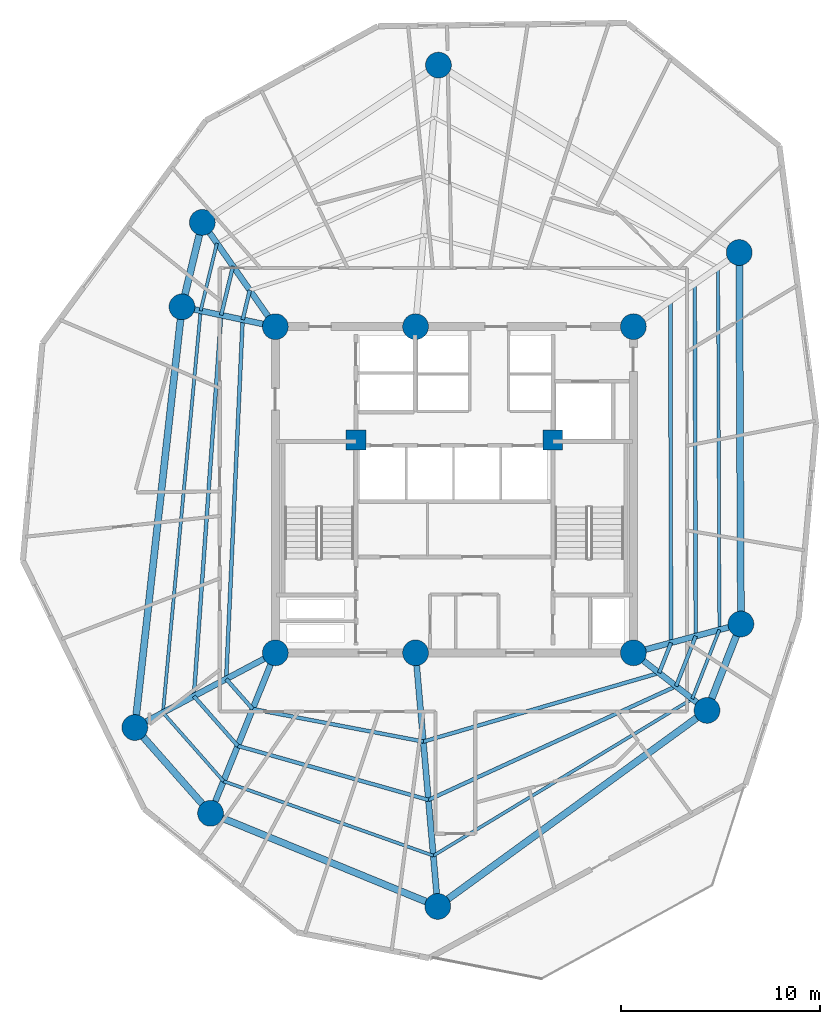
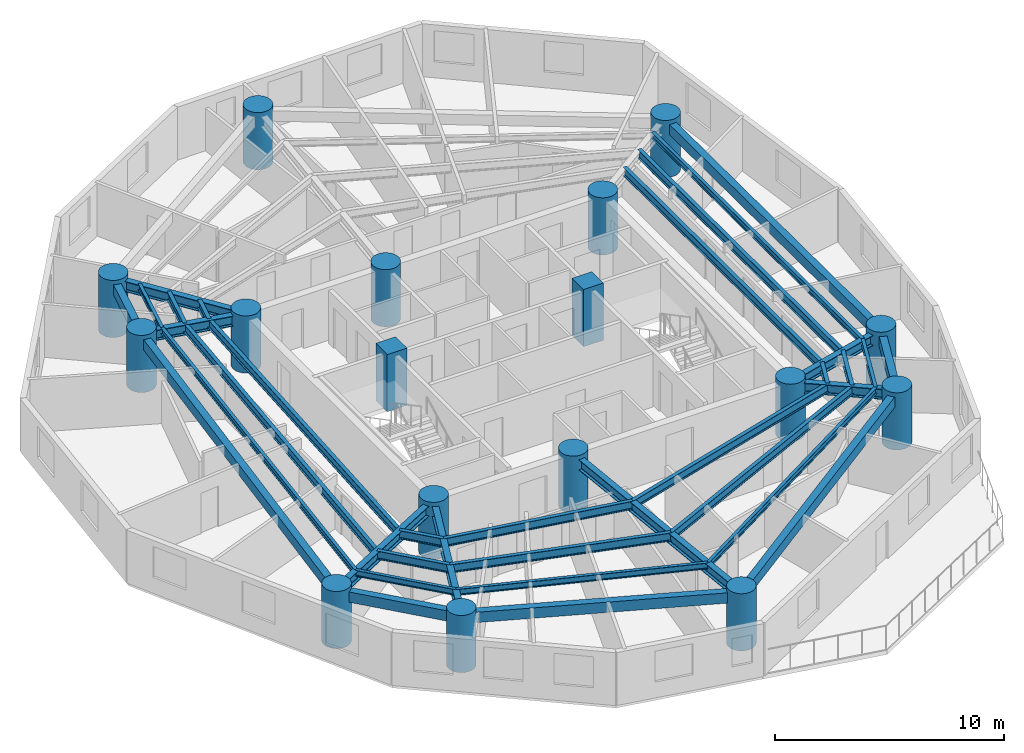
# One storey, part 1 of 8: 35 beams, 17 columns.
"""IFC4 building model written with IfcOpenShell, lengths in metres."""

from ifc_helpers import new_model, si_unit, direction, frame, origin, origin_with_axes, origin_2d, place, context, subcontext, project, spatial, rectangle, circle, i_section, extrude, source, transform, mapped, material, material_profile, profile_set, type_object, element, save


model = new_model("IFC4")

# Units and contexts
model_context = context("Model", 3, precision=1e-05, world=origin(), true_north=direction((0.0, 1.0)))
body_context = subcontext(model_context, "Body", "Model", "MODEL_VIEW")
ifc_project = project(units=[si_unit("LENGTHUNIT", "METRE"), si_unit("AREAUNIT", "SQUARE_METRE"), si_unit("VOLUMEUNIT", "CUBIC_METRE"), si_unit("PLANEANGLEUNIT", "RADIAN"), si_unit("MASSUNIT", "GRAM", prefix="KILO")], contexts=[model_context])

# Site, building, storey
site_placement = place(None, origin())
site = spatial("IfcSite", under=ifc_project, at=site_placement, CompositionType="ELEMENT")
building_placement = place(site_placement, origin())
building = spatial("IfcBuilding", under=site, at=building_placement, Name="Karkom Vertical University and Central Library", CompositionType="ELEMENT")
storey_placement = place(building_placement, frame((0.0, 0.0, 174.85009765625)))
storey = spatial("IfcBuildingStorey", under=building, at=storey_placement, Name="L50", CompositionType="ELEMENT", Elevation=174.85009765625)

# Columns
ifc_material_1 = material(Name="Concrete C50/60", Category="concrete")
ifc_material_profile_1 = material_profile(ifc_material_1, circle(Radius=0.64990234375, at=origin_2d()), Name="CFT-D1300")
ifc_profile_set_1 = profile_set([ifc_material_profile_1], Name="Concrete C50/60")
column_type_1 = type_object("IfcColumnType", Name="STR-COL-C-SC4", PredefinedType="COLUMN", material=ifc_profile_set_1)
shared_shape_1 = source(origin_with_axes(), body_context, "Body", "SweptSolid", [
    extrude(circle(Radius=0.64990234375, at=origin_2d()), origin(), (0.0, 0.0, 1.0), 3.0498046875),
])
for number, where, z_axis, x_axis, name in (
    (1, (19.5, 18.300048828125, 0.0), (0.0, 0.0, 1.0), (1.0, 0.0, 0.0), "Level 50 Spine Mega-Column SC-1"),
    (2, (26.550048828125, 18.300048828125, 0.0), (0.0, 0.0, 1.0), (1.0, 0.0, 0.0), "Level 50 Spine Mega-Column SC-2"),
    (3, (37.5, 18.300048828125, 0.0), (0.0, 0.0, 1.0), (1.0, 0.0, 0.0), "Level 50 Spine Mega-Column SC-3"),
    (4, (19.5, 34.699951171875, 0.0), (0.0, 0.0, 1.0), (1.0, 0.0, 0.0), "Level 50 Spine Mega-Column SC-4"),
    (5, (26.550048828125, 34.699951171875, 0.0), (0.0, 0.0, 1.0), (1.0, 0.0, 0.0), "Level 50 Spine Mega-Column SC-5"),
    (6, (37.5, 34.699951171875, 0.0), (0.0, 0.0, 1.0), (1.0, 0.0, 0.0), "Level 50 Spine Mega-Column SC-6"),
    (7, (42.908935546875, 19.7490234375, 0.0), (0.0, 0.0, 1.0), (1.0, 0.0, 0.0), "Level 50 Perimeter Mega-Column Z3-PC1"),
    (8, (42.823974609375, 38.427978515625, 0.0), (0.0, 0.0, 1.0), (1.0, 0.0, 0.0), "Level 50 Perimeter Mega-Column Z3-PC2"),
    (9, (27.699951171875, 47.85009765625, 0.0), (0.0, 0.0, 1.0), (1.0, 0.0, 0.0), "Level 50 Perimeter Mega-Column Z3-PC3"),
    (10, (15.8291015625, 39.943115234375, 0.0), (0.0, 0.0, 1.0), (1.0, 0.0, 0.0), "Level 50 Perimeter Mega-Column Z3-PC4"),
    (11, (14.804931640625, 35.697998046875, 0.0), (0.0, 0.0, 1.0), (1.0, 0.0, 0.0), "Level 50 Perimeter Mega-Column Z3-PC5"),
    (12, (12.43603515625, 14.5439453125, 0.0), (0.0, 0.0, 1.0), (1.0, 0.0, 0.0), "Level 50 Perimeter Mega-Column Z3-PC6"),
    (13, (16.240966796875, 10.23388671875, 0.0), (0.0, 0.0, 1.0), (1.0, 0.0, 0.0), "Level 50 Perimeter Mega-Column Z3-PC7"),
    (14, (27.666015625, 5.549072265625, 0.0), (0.0, 0.0, 1.0), (1.0, 0.0, 0.0), "Level 50 Perimeter Mega-Column Z3-PC8"),
    (15, (41.2041015625, 15.406005859375, 0.0), (0.0, 0.0, 1.0), (1.0, 0.0, 0.0), "Level 50 Perimeter Mega-Column Z3-PC9"),
):
    element("IfcColumn", number, at=place(storey_placement, frame(where, z_axis=z_axis, x_axis=x_axis)), inside=storey, type_object=column_type_1, Name=name, PredefinedType="COLUMN", context=body_context, shape_type="MappedRepresentation", body=[
        mapped(shared_shape_1, transform((0.0, 0.0, 0.0), scale=1.0)),
    ])
ifc_material_profile_2 = material_profile(ifc_material_1, rectangle(XDim=1.0, YDim=1.0, at=origin_2d()), Name="RC-1000x1000")
ifc_profile_set_2 = profile_set([ifc_material_profile_2], Name="Concrete C50/60")
column_type_2 = type_object("IfcColumnType", Name="STR-COL-C-CC2", PredefinedType="COLUMN", material=ifc_profile_set_2)
shared_shape_2 = source(origin_with_axes(), body_context, "Body", "SweptSolid", [
    extrude(rectangle(XDim=1.0, YDim=1.0, at=origin_2d()), origin(), (0.0, 0.0, 1.0), 3.0498046875),
])
for number, where, z_axis, x_axis, name in (
    (16, (23.550048828125, 29.0, 0.0), (0.0, 0.0, 1.0), (1.0, 0.0, 0.0), "Level 50 Core Node Column CC-1"),
    (17, (33.449951171875, 29.0, 0.0), (0.0, 0.0, 1.0), (1.0, 0.0, 0.0), "Level 50 Core Node Column CC-2"),
):
    element("IfcColumn", number, at=place(storey_placement, frame(where, z_axis=z_axis, x_axis=x_axis)), inside=storey, type_object=column_type_2, Name=name, PredefinedType="COLUMN", context=body_context, shape_type="MappedRepresentation", body=[
        mapped(shared_shape_2, transform((0.0, 0.0, 0.0), scale=1.0)),
    ])

# Beams
ifc_material_2 = material(Name="Precast concrete C45/55", Category="concrete")
ifc_material_profile_3 = material_profile(ifc_material_2, rectangle(XDim=0.35009765625, YDim=0.550048828125, at=origin_2d()), Name="SPB-350x550")
ifc_profile_set_3 = profile_set([ifc_material_profile_3], Name="Precast concrete C45/55")
beam_type_1 = type_object("IfcBeamType", Name="STR-BM-SP-2", PredefinedType="SPANDREL", material=ifc_profile_set_3)
shared_shape_3 = source(origin_with_axes(), body_context, "Body", "SweptSolid", [
    extrude(rectangle(XDim=0.35009765625, YDim=0.550048828125, at=origin_2d()), origin(), (0.0, 0.0, 1.0), 18.67919921875),
])
beam_1_placement = place(storey_placement, frame((42.908935546875, 19.7490234375, 2.5498046875), z_axis=(-0.004548437442, 0.999989655805, 0.0), x_axis=(-0.999989655805, -0.004548437442, 0.0)))
element("IfcBeam", 18, at=beam_1_placement, inside=storey, type_object=beam_type_1, Name="Level 50 Perimeter Spandrel Beam 01", PredefinedType="SPANDREL", context=body_context, shape_type="MappedRepresentation", body=[
    mapped(shared_shape_3, transform((0.0, 0.0, 0.0), scale=1.0)),
])
shared_shape_4 = source(origin_with_axes(), body_context, "Body", "SweptSolid", [
    extrude(rectangle(XDim=0.35009765625, YDim=0.550048828125, at=origin_2d()), origin(), (0.0, 0.0, 1.0), 4.366943359375),
])
beam_2_placement = place(storey_placement, frame((15.8291015625, 39.943115234375, 2.5498046875), z_axis=(-0.234529408772, -0.972109024966, 0.0), x_axis=(0.972109024966, -0.234529408772, 0.0)))
element("IfcBeam", 19, at=beam_2_placement, inside=storey, type_object=beam_type_1, Name="Level 50 Perimeter Spandrel Beam 04", PredefinedType="SPANDREL", context=body_context, shape_type="MappedRepresentation", body=[
    mapped(shared_shape_4, transform((0.0, 0.0, 0.0), scale=1.0)),
])
shared_shape_5 = source(origin_with_axes(), body_context, "Body", "SweptSolid", [
    extrude(rectangle(XDim=0.35009765625, YDim=0.550048828125, at=origin_2d()), origin(), (0.0, 0.0, 1.0), 21.286376953125),
])
beam_3_placement = place(storey_placement, frame((14.804931640625, 35.697998046875, 2.5498046875), z_axis=(-0.111287493264, -0.993788254028, 0.0), x_axis=(0.993788254028, -0.111287493264, 0.0)))
element("IfcBeam", 20, at=beam_3_placement, inside=storey, type_object=beam_type_1, Name="Level 50 Perimeter Spandrel Beam 05", PredefinedType="SPANDREL", context=body_context, shape_type="MappedRepresentation", body=[
    mapped(shared_shape_5, transform((0.0, 0.0, 0.0), scale=1.0)),
])
shared_shape_6 = source(origin_with_axes(), body_context, "Body", "SweptSolid", [
    extrude(rectangle(XDim=0.35009765625, YDim=0.550048828125, at=origin_2d()), origin(), (0.0, 0.0, 1.0), 5.749267578125),
])
beam_4_placement = place(storey_placement, frame((12.43603515625, 14.5439453125, 2.5498046875), z_axis=(0.661811219671, -0.74967053398, 0.0), x_axis=(0.74967053398, 0.661811219671, 0.0)))
element("IfcBeam", 21, at=beam_4_placement, inside=storey, type_object=beam_type_1, Name="Level 50 Perimeter Spandrel Beam 06", PredefinedType="SPANDREL", context=body_context, shape_type="MappedRepresentation", body=[
    mapped(shared_shape_6, transform((0.0, 0.0, 0.0), scale=1.0)),
])
shared_shape_7 = source(origin_with_axes(), body_context, "Body", "SweptSolid", [
    extrude(rectangle(XDim=0.35009765625, YDim=0.550048828125, at=origin_2d()), origin(), (0.0, 0.0, 1.0), 12.34814453125),
])
beam_5_placement = place(storey_placement, frame((16.240966796875, 10.23388671875, 2.5498046875), z_axis=(0.925236428984, -0.37939102583, 0.0), x_axis=(0.37939102583, 0.925236428984, 0.0)))
element("IfcBeam", 22, at=beam_5_placement, inside=storey, type_object=beam_type_1, Name="Level 50 Perimeter Spandrel Beam 07", PredefinedType="SPANDREL", context=body_context, shape_type="MappedRepresentation", body=[
    mapped(shared_shape_7, transform((0.0, 0.0, 0.0), scale=1.0)),
])
shared_shape_8 = source(origin_with_axes(), body_context, "Body", "SweptSolid", [
    extrude(rectangle(XDim=0.35009765625, YDim=0.550048828125, at=origin_2d()), origin(), (0.0, 0.0, 1.0), 16.746337890625),
])
beam_6_placement = place(storey_placement, frame((27.666015625, 5.549072265625, 2.5498046875), z_axis=(0.808422013284, 0.588603303115, 0.0), x_axis=(-0.588603303115, 0.808422013284, 0.0)))
element("IfcBeam", 23, at=beam_6_placement, inside=storey, type_object=beam_type_1, Name="Level 50 Perimeter Spandrel Beam 08", PredefinedType="SPANDREL", context=body_context, shape_type="MappedRepresentation", body=[
    mapped(shared_shape_8, transform((0.0, 0.0, 0.0), scale=1.0)),
])
shared_shape_9 = source(origin_with_axes(), body_context, "Body", "SweptSolid", [
    extrude(rectangle(XDim=0.35009765625, YDim=0.550048828125, at=origin_2d()), origin(), (0.0, 0.0, 1.0), 4.66552734375),
])
beam_7_placement = place(storey_placement, frame((41.2041015625, 15.406005859375, 2.5498046875), z_axis=(0.365401419454, 0.930850043058, 0.0), x_axis=(-0.930850043058, 0.365401419454, 0.0)))
element("IfcBeam", 24, at=beam_7_placement, inside=storey, type_object=beam_type_1, Name="Level 50 Perimeter Spandrel Beam 09", PredefinedType="SPANDREL", context=body_context, shape_type="MappedRepresentation", body=[
    mapped(shared_shape_9, transform((0.0, 0.0, 0.0), scale=1.0)),
])
ifc_material_3 = material(Name="Steel S355", Category="steel")
ifc_material_profile_4 = material_profile(ifc_material_3, i_section(OverallWidth=0.18994140625, OverallDepth=0.449951171875, WebThickness=0.009521484375, FlangeThickness=0.0146484375, FilletRadius=0.02099609375, at=origin_2d()), Name="IPE 450")
ifc_profile_set_4 = profile_set([ifc_material_profile_4], Name="Steel S355")
beam_type_2 = type_object("IfcBeamType", Name="STR-BM-SB-IPE450", PredefinedType="BEAM", material=ifc_profile_set_4)
shared_shape_10 = source(origin_with_axes(), body_context, "Body", "SweptSolid", [
    extrude(i_section(OverallWidth=0.18994140625, OverallDepth=0.449951171875, WebThickness=0.009521484375, FlangeThickness=0.0146484375, FilletRadius=0.02099609375, at=origin_2d()), origin(), (0.0, 0.0, 1.0), 17.19775390625),
])
beam_8_placement = place(storey_placement, frame((39.39306640625, 18.80712890625, 2.599853515625), z_axis=(-0.001731918699, 0.999998500228, 0.0), x_axis=(-0.999998500228, -0.001731918699, 0.0)))
element("IfcBeam", 25, at=beam_8_placement, inside=storey, type_object=beam_type_2, Name="Level 50 Secondary Composite Floor Beam 1.01", PredefinedType="BEAM", context=body_context, shape_type="MappedRepresentation", body=[
    mapped(shared_shape_10, transform((0.0, 0.0, 0.0), scale=1.0)),
])
shared_shape_11 = source(origin_with_axes(), body_context, "Body", "SweptSolid", [
    extrude(i_section(OverallWidth=0.18994140625, OverallDepth=0.449951171875, WebThickness=0.009521484375, FlangeThickness=0.0146484375, FilletRadius=0.02099609375, at=origin_2d()), origin(), (0.0, 0.0, 1.0), 1.5283203125),
])
beam_9_placement = place(storey_placement, frame((18.215087890625, 36.534912109375, 2.599853515625), z_axis=(-0.234520804587, -0.972111100757, 0.0), x_axis=(0.972111100757, -0.234520804587, 0.0)))
element("IfcBeam", 26, at=beam_9_placement, inside=storey, type_object=beam_type_2, Name="Level 50 Secondary Composite Floor Beam 1.04", PredefinedType="BEAM", context=body_context, shape_type="MappedRepresentation", body=[
    mapped(shared_shape_11, transform((0.0, 0.0, 0.0), scale=1.0)),
])
shared_shape_12 = source(origin_with_axes(), body_context, "Body", "SweptSolid", [
    extrude(i_section(OverallWidth=0.18994140625, OverallDepth=0.449951171875, WebThickness=0.009521484375, FlangeThickness=0.0146484375, FilletRadius=0.02099609375, at=origin_2d()), origin(), (0.0, 0.0, 1.0), 18.0830078125),
])
beam_10_placement = place(storey_placement, frame((17.856689453125, 35.04931640625, 2.599853515625), z_axis=(-0.04584982532, -0.998948343769, 0.0), x_axis=(0.998948343769, -0.04584982532, 0.0)))
element("IfcBeam", 27, at=beam_10_placement, inside=storey, type_object=beam_type_2, Name="Level 50 Secondary Composite Floor Beam 1.05", PredefinedType="BEAM", context=body_context, shape_type="MappedRepresentation", body=[
    mapped(shared_shape_12, transform((0.0, 0.0, 0.0), scale=1.0)),
])
shared_shape_13 = source(origin_with_axes(), body_context, "Body", "SweptSolid", [
    extrude(i_section(OverallWidth=0.18994140625, OverallDepth=0.449951171875, WebThickness=0.009521484375, FlangeThickness=0.0146484375, FilletRadius=0.02099609375, at=origin_2d()), origin(), (0.0, 0.0, 1.0), 2.01220703125),
])
beam_11_placement = place(storey_placement, frame((17.027587890625, 16.9853515625, 2.599853515625), z_axis=(0.661822246424, -0.749660799387, 0.0), x_axis=(0.749660799387, 0.661822246424, 0.0)))
element("IfcBeam", 28, at=beam_11_placement, inside=storey, type_object=beam_type_2, Name="Level 50 Secondary Composite Floor Beam 1.06", PredefinedType="BEAM", context=body_context, shape_type="MappedRepresentation", body=[
    mapped(shared_shape_13, transform((0.0, 0.0, 0.0), scale=1.0)),
])
shared_shape_14 = source(origin_with_axes(), body_context, "Body", "SweptSolid", [
    extrude(i_section(OverallWidth=0.18994140625, OverallDepth=0.449951171875, WebThickness=0.009521484375, FlangeThickness=0.0146484375, FilletRadius=0.02099609375, at=origin_2d()), origin(), (0.0, 0.0, 1.0), 8.736572265625),
])
beam_12_placement = place(storey_placement, frame((18.359375, 15.476806640625, 2.599853515625), z_axis=(0.982230782932, -0.187677087205, 0.0), x_axis=(0.187677087205, 0.982230782932, 0.0)))
element("IfcBeam", 29, at=beam_12_placement, inside=storey, type_object=beam_type_2, Name="Level 50 Secondary Composite Floor Beam 1.07", PredefinedType="BEAM", context=body_context, shape_type="MappedRepresentation", body=[
    mapped(shared_shape_14, transform((0.0, 0.0, 0.0), scale=1.0)),
])
shared_shape_15 = source(origin_with_axes(), body_context, "Body", "SweptSolid", [
    extrude(i_section(OverallWidth=0.18994140625, OverallDepth=0.449951171875, WebThickness=0.009521484375, FlangeThickness=0.0146484375, FilletRadius=0.02099609375, at=origin_2d()), origin(), (0.0, 0.0, 1.0), 12.347412109375),
])
beam_13_placement = place(storey_placement, frame((26.940673828125, 13.837158203125, 2.599853515625), z_axis=(0.960173212987, 0.279405442077, 0.0), x_axis=(-0.279405442077, 0.960173212987, 0.0)))
element("IfcBeam", 30, at=beam_13_placement, inside=storey, type_object=beam_type_2, Name="Level 50 Secondary Composite Floor Beam 1.08", PredefinedType="BEAM", context=body_context, shape_type="MappedRepresentation", body=[
    mapped(shared_shape_15, transform((0.0, 0.0, 0.0), scale=1.0)),
])
shared_shape_16 = source(origin_with_axes(), body_context, "Body", "SweptSolid", [
    extrude(i_section(OverallWidth=0.18994140625, OverallDepth=0.449951171875, WebThickness=0.009521484375, FlangeThickness=0.0146484375, FilletRadius=0.02099609375, at=origin_2d()), origin(), (0.0, 0.0, 1.0), 1.633056640625),
])
beam_14_placement = place(storey_placement, frame((38.79638671875, 17.287109375, 2.599853515625), z_axis=(0.365402570083, 0.930849591382, 0.0), x_axis=(-0.930849591382, 0.365402570083, 0.0)))
element("IfcBeam", 31, at=beam_14_placement, inside=storey, type_object=beam_type_2, Name="Level 50 Secondary Composite Floor Beam 1.09", PredefinedType="BEAM", context=body_context, shape_type="MappedRepresentation", body=[
    mapped(shared_shape_16, transform((0.0, 0.0, 0.0), scale=1.0)),
])
shared_shape_17 = source(origin_with_axes(), body_context, "Body", "SweptSolid", [
    extrude(i_section(OverallWidth=0.18994140625, OverallDepth=0.449951171875, WebThickness=0.009521484375, FlangeThickness=0.0146484375, FilletRadius=0.02099609375, at=origin_2d()), origin(), (0.0, 0.0, 1.0), 17.721923828125),
])
beam_15_placement = place(storey_placement, frame((40.63720703125, 19.140380859375, 2.599853515625), z_axis=(-0.002782780006, 0.99999612806, 0.0), x_axis=(-0.99999612806, -0.002782780006, 0.0)))
element("IfcBeam", 32, at=beam_15_placement, inside=storey, type_object=beam_type_2, Name="Level 50 Secondary Composite Floor Beam 2.01", PredefinedType="BEAM", context=body_context, shape_type="MappedRepresentation", body=[
    mapped(shared_shape_17, transform((0.0, 0.0, 0.0), scale=1.0)),
])
shared_shape_18 = source(origin_with_axes(), body_context, "Body", "SweptSolid", [
    extrude(i_section(OverallWidth=0.18994140625, OverallDepth=0.449951171875, WebThickness=0.009521484375, FlangeThickness=0.0146484375, FilletRadius=0.02099609375, at=origin_2d()), origin(), (0.0, 0.0, 1.0), 2.53271484375),
])
beam_16_placement = place(storey_placement, frame((17.370849609375, 37.740966796875, 2.599853515625), z_axis=(-0.234521178828, -0.972111010472, 0.0), x_axis=(0.972111010472, -0.234521178828, 0.0)))
element("IfcBeam", 33, at=beam_16_placement, inside=storey, type_object=beam_type_2, Name="Level 50 Secondary Composite Floor Beam 2.04", PredefinedType="BEAM", context=body_context, shape_type="MappedRepresentation", body=[
    mapped(shared_shape_18, transform((0.0, 0.0, 0.0), scale=1.0)),
])
shared_shape_19 = source(origin_with_axes(), body_context, "Body", "SweptSolid", [
    extrude(i_section(OverallWidth=0.18994140625, OverallDepth=0.449951171875, WebThickness=0.009521484375, FlangeThickness=0.0146484375, FilletRadius=0.02099609375, at=origin_2d()), origin(), (0.0, 0.0, 1.0), 19.20654296875),
])
beam_17_placement = place(storey_placement, frame((16.77685546875, 35.27880859375, 2.599853515625), z_axis=(-0.071539731632, -0.997437750839, 0.0), x_axis=(0.997437750839, -0.071539731632, 0.0)))
element("IfcBeam", 34, at=beam_17_placement, inside=storey, type_object=beam_type_2, Name="Level 50 Secondary Composite Floor Beam 2.05", PredefinedType="BEAM", context=body_context, shape_type="MappedRepresentation", body=[
    mapped(shared_shape_19, transform((0.0, 0.0, 0.0), scale=1.0)),
])
shared_shape_20 = source(origin_with_axes(), body_context, "Body", "SweptSolid", [
    extrude(i_section(OverallWidth=0.18994140625, OverallDepth=0.449951171875, WebThickness=0.009521484375, FlangeThickness=0.0146484375, FilletRadius=0.02099609375, at=origin_2d()), origin(), (0.0, 0.0, 1.0), 3.334716796875),
])
beam_18_placement = place(storey_placement, frame((15.40283203125, 16.12158203125, 2.599853515625), z_axis=(0.661815321502, -0.749666912852, 0.0), x_axis=(0.749666912852, 0.661815321502, 0.0)))
element("IfcBeam", 35, at=beam_18_placement, inside=storey, type_object=beam_type_2, Name="Level 50 Secondary Composite Floor Beam 2.06", PredefinedType="BEAM", context=body_context, shape_type="MappedRepresentation", body=[
    mapped(shared_shape_20, transform((0.0, 0.0, 0.0), scale=1.0)),
])
shared_shape_21 = source(origin_with_axes(), body_context, "Body", "SweptSolid", [
    extrude(i_section(OverallWidth=0.18994140625, OverallDepth=0.449951171875, WebThickness=0.009521484375, FlangeThickness=0.0146484375, FilletRadius=0.02099609375, at=origin_2d()), origin(), (0.0, 0.0, 1.0), 9.965087890625),
])
beam_19_placement = place(storey_placement, frame((17.60986328125, 13.62158203125, 2.599853515625), z_axis=(0.962104232935, -0.272681948372, 0.0), x_axis=(0.272681948372, 0.962104232935, 0.0)))
element("IfcBeam", 36, at=beam_19_placement, inside=storey, type_object=beam_type_2, Name="Level 50 Secondary Composite Floor Beam 2.07", PredefinedType="BEAM", context=body_context, shape_type="MappedRepresentation", body=[
    mapped(shared_shape_21, transform((0.0, 0.0, 0.0), scale=1.0)),
])
shared_shape_22 = source(origin_with_axes(), body_context, "Body", "SweptSolid", [
    extrude(i_section(OverallWidth=0.18994140625, OverallDepth=0.449951171875, WebThickness=0.009521484375, FlangeThickness=0.0146484375, FilletRadius=0.02099609375, at=origin_2d()), origin(), (0.0, 0.0, 1.0), 13.700927734375),
])
beam_20_placement = place(storey_placement, frame((27.197265625, 10.904296875, 2.599853515625), z_axis=(0.908771280691, 0.417294571486, 0.0), x_axis=(-0.417294571486, 0.908771280691, 0.0)))
element("IfcBeam", 37, at=beam_20_placement, inside=storey, type_object=beam_type_2, Name="Level 50 Secondary Composite Floor Beam 2.08", PredefinedType="BEAM", context=body_context, shape_type="MappedRepresentation", body=[
    mapped(shared_shape_22, transform((0.0, 0.0, 0.0), scale=1.0)),
])
shared_shape_23 = source(origin_with_axes(), body_context, "Body", "SweptSolid", [
    extrude(i_section(OverallWidth=0.18994140625, OverallDepth=0.449951171875, WebThickness=0.009521484375, FlangeThickness=0.0146484375, FilletRadius=0.02099609375, at=origin_2d()), origin(), (0.0, 0.0, 1.0), 2.7060546875),
])
beam_21_placement = place(storey_placement, frame((39.648193359375, 16.62158203125, 2.599853515625), z_axis=(0.365487674906, 0.930816179217, 0.0), x_axis=(-0.930816179217, 0.365487674906, 0.0)))
element("IfcBeam", 38, at=beam_21_placement, inside=storey, type_object=beam_type_2, Name="Level 50 Secondary Composite Floor Beam 2.09", PredefinedType="BEAM", context=body_context, shape_type="MappedRepresentation", body=[
    mapped(shared_shape_23, transform((0.0, 0.0, 0.0), scale=1.0)),
])
ifc_material_profile_5 = material_profile(ifc_material_3, i_section(OverallWidth=0.159912109375, OverallDepth=0.330078125, WebThickness=0.007568359375, FlangeThickness=0.011474609375, FilletRadius=0.01806640625, at=origin_2d()), Name="IPE 330")
ifc_profile_set_5 = profile_set([ifc_material_profile_5], Name="Steel S355")
beam_type_3 = type_object("IfcBeamType", Name="STR-BM-SB-IPE330", PredefinedType="BEAM", material=ifc_profile_set_5)
shared_shape_24 = source(origin_with_axes(), body_context, "Body", "SweptSolid", [
    extrude(i_section(OverallWidth=0.159912109375, OverallDepth=0.330078125, WebThickness=0.007568359375, FlangeThickness=0.011474609375, FilletRadius=0.01806640625, at=origin_2d()), origin(), (0.0, 0.0, 1.0), 18.223388671875),
])
beam_22_placement = place(storey_placement, frame((41.8271484375, 19.459228515625, 2.659912109375), z_axis=(-0.003724418851, 0.999993064328, 0.0), x_axis=(-0.999993064328, -0.003724418851, 0.0)))
element("IfcBeam", 39, at=beam_22_placement, inside=storey, type_object=beam_type_3, Name="Level 50 Secondary Composite Floor Beam 3.01", PredefinedType="BEAM", context=body_context, shape_type="MappedRepresentation", body=[
    mapped(shared_shape_24, transform((0.0, 0.0, 0.0), scale=1.0)),
])
shared_shape_25 = source(origin_with_axes(), body_context, "Body", "SweptSolid", [
    extrude(i_section(OverallWidth=0.159912109375, OverallDepth=0.330078125, WebThickness=0.007568359375, FlangeThickness=0.011474609375, FilletRadius=0.01806640625, at=origin_2d()), origin(), (0.0, 0.0, 1.0), 3.493408203125),
])
beam_23_placement = place(storey_placement, frame((16.563232421875, 38.894287109375, 2.659912109375), z_axis=(-0.234535781995, -0.972107487351, 0.0), x_axis=(0.972107487351, -0.234535781995, 0.0)))
element("IfcBeam", 40, at=beam_23_placement, inside=storey, type_object=beam_type_3, Name="Level 50 Secondary Composite Floor Beam 3.04", PredefinedType="BEAM", context=body_context, shape_type="MappedRepresentation", body=[
    mapped(shared_shape_25, transform((0.0, 0.0, 0.0), scale=1.0)),
])
shared_shape_26 = source(origin_with_axes(), body_context, "Body", "SweptSolid", [
    extrude(i_section(OverallWidth=0.159912109375, OverallDepth=0.330078125, WebThickness=0.007568359375, FlangeThickness=0.011474609375, FilletRadius=0.01806640625, at=origin_2d()), origin(), (0.0, 0.0, 1.0), 20.291748046875),
])
beam_24_placement = place(storey_placement, frame((15.743896484375, 35.498291015625, 2.659912109375), z_axis=(-0.093388415244, -0.995629752417, 0.0), x_axis=(0.995629752417, -0.093388415244, 0.0)))
element("IfcBeam", 41, at=beam_24_placement, inside=storey, type_object=beam_type_3, Name="Level 50 Secondary Composite Floor Beam 3.05", PredefinedType="BEAM", context=body_context, shape_type="MappedRepresentation", body=[
    mapped(shared_shape_26, transform((0.0, 0.0, 0.0), scale=1.0)),
])
shared_shape_27 = source(origin_with_axes(), body_context, "Body", "SweptSolid", [
    extrude(i_section(OverallWidth=0.159912109375, OverallDepth=0.330078125, WebThickness=0.007568359375, FlangeThickness=0.011474609375, FilletRadius=0.01806640625, at=origin_2d()), origin(), (0.0, 0.0, 1.0), 4.599365234375),
])
beam_25_placement = place(storey_placement, frame((13.848876953125, 15.295166015625, 2.659912109375), z_axis=(0.661816486801, -0.74966588411, 0.0), x_axis=(0.74966588411, 0.661816486801, 0.0)))
element("IfcBeam", 42, at=beam_25_placement, inside=storey, type_object=beam_type_3, Name="Level 50 Secondary Composite Floor Beam 3.06", PredefinedType="BEAM", context=body_context, shape_type="MappedRepresentation", body=[
    mapped(shared_shape_27, transform((0.0, 0.0, 0.0), scale=1.0)),
])
shared_shape_28 = source(origin_with_axes(), body_context, "Body", "SweptSolid", [
    extrude(i_section(OverallWidth=0.159912109375, OverallDepth=0.330078125, WebThickness=0.007568359375, FlangeThickness=0.011474609375, FilletRadius=0.01806640625, at=origin_2d()), origin(), (0.0, 0.0, 1.0), 11.196044921875),
])
beam_26_placement = place(storey_placement, frame((16.892822265625, 11.84716796875, 2.659912109375), z_axis=(0.942301538336, -0.334765307119, 0.0), x_axis=(0.334765307119, 0.942301538336, 0.0)))
element("IfcBeam", 43, at=beam_26_placement, inside=storey, type_object=beam_type_3, Name="Level 50 Secondary Composite Floor Beam 3.07", PredefinedType="BEAM", context=body_context, shape_type="MappedRepresentation", body=[
    mapped(shared_shape_28, transform((0.0, 0.0, 0.0), scale=1.0)),
])
shared_shape_29 = source(origin_with_axes(), body_context, "Body", "SweptSolid", [
    extrude(i_section(OverallWidth=0.159912109375, OverallDepth=0.330078125, WebThickness=0.007568359375, FlangeThickness=0.011474609375, FilletRadius=0.01806640625, at=origin_2d()), origin(), (0.0, 0.0, 1.0), 15.22216796875),
])
beam_27_placement = place(storey_placement, frame((27.44287109375, 8.09912109375, 2.659912109375), z_axis=(0.855352900974, 0.518045765155, 0.0), x_axis=(-0.518045765155, 0.855352900974, 0.0)))
element("IfcBeam", 44, at=beam_27_placement, inside=storey, type_object=beam_type_3, Name="Level 50 Secondary Composite Floor Beam 3.08", PredefinedType="BEAM", context=body_context, shape_type="MappedRepresentation", body=[
    mapped(shared_shape_29, transform((0.0, 0.0, 0.0), scale=1.0)),
])
shared_shape_30 = source(origin_with_axes(), body_context, "Body", "SweptSolid", [
    extrude(i_section(OverallWidth=0.159912109375, OverallDepth=0.330078125, WebThickness=0.007568359375, FlangeThickness=0.011474609375, FilletRadius=0.01806640625, at=origin_2d()), origin(), (0.0, 0.0, 1.0), 3.732421875),
])
beam_28_placement = place(storey_placement, frame((40.463134765625, 15.98486328125, 2.659912109375), z_axis=(0.365439874109, 0.930834946922, 0.0), x_axis=(-0.930834946922, 0.365439874109, 0.0)))
element("IfcBeam", 45, at=beam_28_placement, inside=storey, type_object=beam_type_3, Name="Level 50 Secondary Composite Floor Beam 3.09", PredefinedType="BEAM", context=body_context, shape_type="MappedRepresentation", body=[
    mapped(shared_shape_30, transform((0.0, 0.0, 0.0), scale=1.0)),
])
ifc_material_profile_6 = material_profile(ifc_material_3, i_section(OverallWidth=0.300048828125, OverallDepth=0.550048828125, WebThickness=0.014892578125, FlangeThickness=0.029052734375, FilletRadius=0.027099609375, at=origin_2d()), Name="HE 550 B")
ifc_profile_set_6 = profile_set([ifc_material_profile_6], Name="Steel S355")
beam_type_4 = type_object("IfcBeamType", Name="STR-BM-SB-HE550", PredefinedType="USERDEFINED", material=ifc_profile_set_6)
shared_shape_31 = source(origin_with_axes(), body_context, "Body", "SweptSolid", [
    extrude(i_section(OverallWidth=0.300048828125, OverallDepth=0.550048828125, WebThickness=0.014892578125, FlangeThickness=0.029052734375, FilletRadius=0.027099609375, at=origin_2d()), origin(), (0.0, 0.0, 1.0), 5.599609375),
])
beam_29_placement = place(storey_placement, frame((37.5, 18.300048828125, 2.5498046875), z_axis=(0.965941240814, 0.258761510459, 0.0), x_axis=(-0.258761510459, 0.965941240814, 0.0)))
element("IfcBeam", 46, at=beam_29_placement, inside=storey, type_object=beam_type_4, Name="Level 50 Radial Frame Girder 01", ObjectType="GIRDER", PredefinedType="USERDEFINED", context=body_context, shape_type="MappedRepresentation", body=[
    mapped(shared_shape_31, transform((0.0, 0.0, 0.0), scale=1.0)),
])
shared_shape_32 = source(origin_with_axes(), body_context, "Body", "SweptSolid", [
    extrude(i_section(OverallWidth=0.300048828125, OverallDepth=0.550048828125, WebThickness=0.014892578125, FlangeThickness=0.029052734375, FilletRadius=0.027099609375, at=origin_2d()), origin(), (0.0, 0.0, 1.0), 6.400390625),
])
beam_30_placement = place(storey_placement, frame((19.5, 34.699951171875, 2.5498046875), z_axis=(-0.573534022273, 0.81918174131, 0.0), x_axis=(-0.81918174131, -0.573534022273, 0.0)))
element("IfcBeam", 47, at=beam_30_placement, inside=storey, type_object=beam_type_4, Name="Level 50 Radial Frame Girder 04", ObjectType="GIRDER", PredefinedType="USERDEFINED", context=body_context, shape_type="MappedRepresentation", body=[
    mapped(shared_shape_32, transform((0.0, 0.0, 0.0), scale=1.0)),
])
shared_shape_33 = source(origin_with_axes(), body_context, "Body", "SweptSolid", [
    extrude(i_section(OverallWidth=0.300048828125, OverallDepth=0.550048828125, WebThickness=0.014892578125, FlangeThickness=0.029052734375, FilletRadius=0.027099609375, at=origin_2d()), origin(), (0.0, 0.0, 1.0), 4.800048828125),
])
beam_31_placement = place(storey_placement, frame((19.5, 34.699951171875, 2.5498046875), z_axis=(-0.978144241295, 0.207927495108, 0.0), x_axis=(-0.207927495108, -0.978144241295, 0.0)))
element("IfcBeam", 48, at=beam_31_placement, inside=storey, type_object=beam_type_4, Name="Level 50 Radial Frame Girder 05", ObjectType="GIRDER", PredefinedType="USERDEFINED", context=body_context, shape_type="MappedRepresentation", body=[
    mapped(shared_shape_33, transform((0.0, 0.0, 0.0), scale=1.0)),
])
shared_shape_34 = source(origin_with_axes(), body_context, "Body", "SweptSolid", [
    extrude(i_section(OverallWidth=0.300048828125, OverallDepth=0.550048828125, WebThickness=0.014892578125, FlangeThickness=0.029052734375, FilletRadius=0.027099609375, at=origin_2d()), origin(), (0.0, 0.0, 1.0), 8.00048828125),
])
beam_32_placement = place(storey_placement, frame((19.5, 18.300048828125, 2.5498046875), z_axis=(-0.882941023922, -0.46948391695, 0.0), x_axis=(0.46948391695, -0.882941023922, 0.0)))
element("IfcBeam", 49, at=beam_32_placement, inside=storey, type_object=beam_type_4, Name="Level 50 Radial Frame Girder 06", ObjectType="GIRDER", PredefinedType="USERDEFINED", context=body_context, shape_type="MappedRepresentation", body=[
    mapped(shared_shape_34, transform((0.0, 0.0, 0.0), scale=1.0)),
])
shared_shape_35 = source(origin_with_axes(), body_context, "Body", "SweptSolid", [
    extrude(i_section(OverallWidth=0.300048828125, OverallDepth=0.550048828125, WebThickness=0.014892578125, FlangeThickness=0.029052734375, FilletRadius=0.027099609375, at=origin_2d()), origin(), (0.0, 0.0, 1.0), 8.69970703125),
])
beam_33_placement = place(storey_placement, frame((19.5, 18.300048828125, 2.5498046875), z_axis=(-0.374615701214, -0.927180174725, 0.0), x_axis=(0.927180174725, -0.374615701214, 0.0)))
element("IfcBeam", 50, at=beam_33_placement, inside=storey, type_object=beam_type_4, Name="Level 50 Radial Frame Girder 07", ObjectType="GIRDER", PredefinedType="USERDEFINED", context=body_context, shape_type="MappedRepresentation", body=[
    mapped(shared_shape_35, transform((0.0, 0.0, 0.0), scale=1.0)),
])
shared_shape_36 = source(origin_with_axes(), body_context, "Body", "SweptSolid", [
    extrude(i_section(OverallWidth=0.300048828125, OverallDepth=0.550048828125, WebThickness=0.014892578125, FlangeThickness=0.029052734375, FilletRadius=0.027099609375, at=origin_2d()), origin(), (0.0, 0.0, 1.0), 12.7998046875),
])
beam_34_placement = place(storey_placement, frame((26.550048828125, 18.300048828125, 2.5498046875), z_axis=(0.087186825694, -0.996191978198, 0.0), x_axis=(0.996191978198, 0.087186825694, 0.0)))
element("IfcBeam", 51, at=beam_34_placement, inside=storey, type_object=beam_type_4, Name="Level 50 Radial Frame Girder 08", ObjectType="GIRDER", PredefinedType="USERDEFINED", context=body_context, shape_type="MappedRepresentation", body=[
    mapped(shared_shape_36, transform((0.0, 0.0, 0.0), scale=1.0)),
])
shared_shape_37 = source(origin_with_axes(), body_context, "Body", "SweptSolid", [
    extrude(i_section(OverallWidth=0.300048828125, OverallDepth=0.550048828125, WebThickness=0.014892578125, FlangeThickness=0.029052734375, FilletRadius=0.027099609375, at=origin_2d()), origin(), (0.0, 0.0, 1.0), 4.70068359375),
])
beam_35_placement = place(storey_placement, frame((37.5, 18.300048828125, 2.5498046875), z_axis=(0.788002325582, -0.615672262553, 0.0), x_axis=(0.615672262553, 0.788002325582, 0.0)))
element("IfcBeam", 52, at=beam_35_placement, inside=storey, type_object=beam_type_4, Name="Level 50 Radial Frame Girder 09", ObjectType="GIRDER", PredefinedType="USERDEFINED", context=body_context, shape_type="MappedRepresentation", body=[
    mapped(shared_shape_37, transform((0.0, 0.0, 0.0), scale=1.0)),
])

save(model, "model.ifc")
